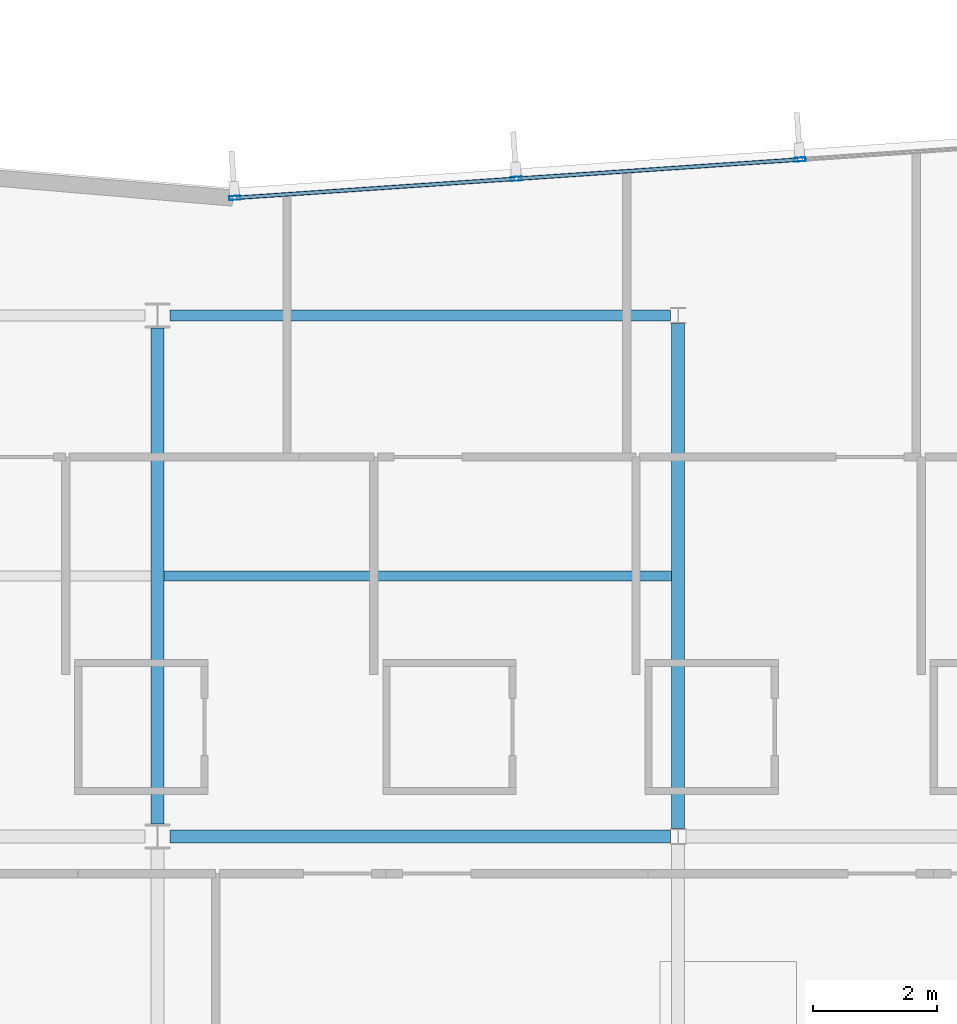
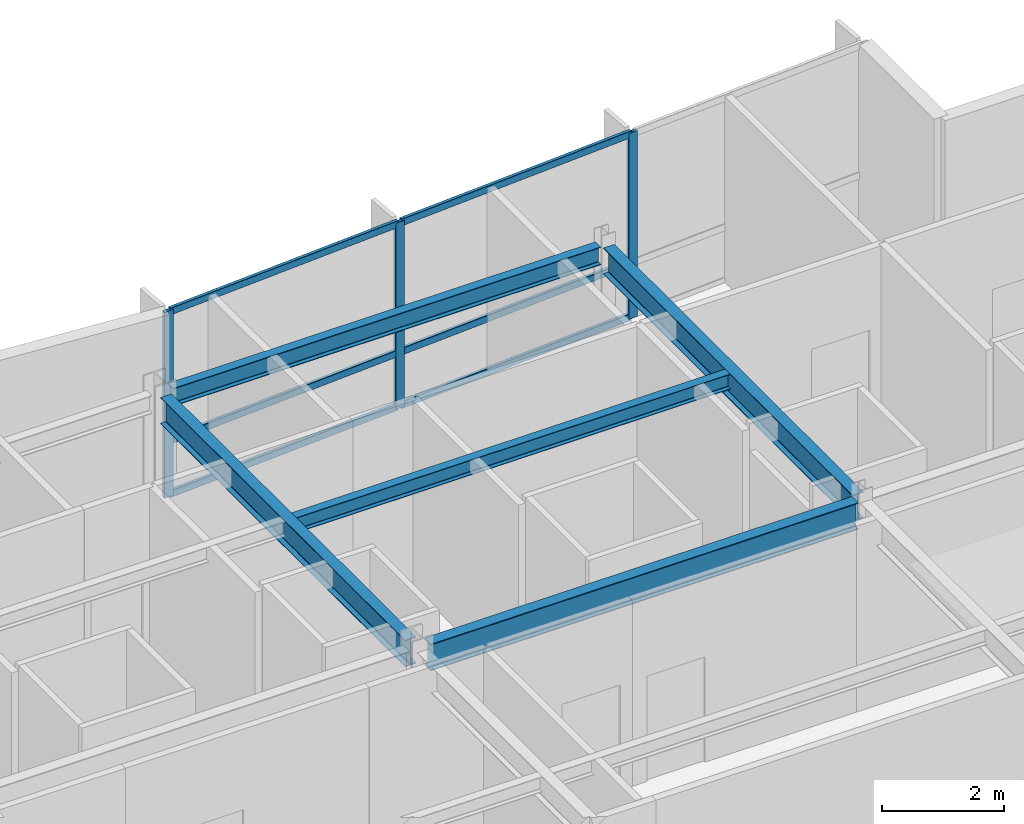
# One storey, part 6 of 16: 9 members, 5 beams, 1 element without a shape of its own.
"""IFC4 building model written with IfcOpenShell, lengths in metres."""

from ifc_helpers import new_model, si_unit, direction, frame, origin, origin_2d, place, context, subcontext, project, spatial, hollow_rectangle, i_section, extrude, material, layer, layer_set, material_profile, profile_set, type_object, element, aggregate, save


model = new_model("IFC4")

# Units and contexts
model_context = context("Model", 3, precision=1e-05, world=origin(), true_north=direction((0.0, 1.0)))
body_context = subcontext(model_context, "Body", "Model", "MODEL_VIEW")
ifc_project = project(units=[si_unit("LENGTHUNIT", "METRE"), si_unit("AREAUNIT", "SQUARE_METRE"), si_unit("VOLUMEUNIT", "CUBIC_METRE"), si_unit("PLANEANGLEUNIT", "RADIAN"), si_unit("MASSUNIT", "GRAM", prefix="KILO")], contexts=[model_context])

# Site, building, storey
site_placement = place(None, origin())
site = spatial("IfcSite", under=ifc_project, at=site_placement, CompositionType="ELEMENT")
building_placement = place(site_placement, origin())
building = spatial("IfcBuilding", under=site, at=building_placement, Name="Varnakote Quay Hospital", CompositionType="ELEMENT")
storey_placement = place(building_placement, frame((0.0, 0.0, 223.699951171875)))
storey = spatial("IfcBuildingStorey", under=building, at=storey_placement, Name="L55", CompositionType="ELEMENT", Elevation=223.699951171875)

# Beams
ifc_material_1 = material(Name="Structural steel AS/NZS 3679.1 Grade 350 L0 (fy 340 MPa)", Category="steel")
ifc_material_profile_1 = material_profile(ifc_material_1, i_section(OverallWidth=0.208984375, OverallDepth=0.528076171875, WebThickness=0.009521484375, FlangeThickness=0.01318359375, FilletRadius=0.013916015625, at=origin_2d()), Name="530UB82.0")
ifc_profile_set_1 = profile_set([ifc_material_profile_1], Name="Structural steel AS/NZS 3679.1 Grade 350 L0 (fy 340 MPa)")
beam_type_1 = type_object("IfcBeamType", Name="BM-STL-530UB82-0", PredefinedType="BEAM", material=ifc_profile_set_1)
beam_1_placement = place(storey_placement, frame((33.60009765625, 20.60205078125, 3.446044921875), z_axis=(0.0, 1.0, 0.0), x_axis=(-1.0, 0.0, 0.0)))
element("IfcBeam", 1, at=beam_1_placement, inside=storey, type_object=beam_type_1, Name="L55 Primary Tie Beam", PredefinedType="BEAM", context=body_context, shape_type="SweptSolid", body=[
    extrude(i_section(OverallWidth=0.208984375, OverallDepth=0.528076171875, WebThickness=0.009521484375, FlangeThickness=0.01318359375, FilletRadius=0.013916015625, at=origin_2d()), origin(), (0.0, 0.0, 1.0), 7.995849609375),
])
beam_2_placement = place(storey_placement, frame((42.0, 20.530029296875, 3.446044921875), z_axis=(0.0, 1.0, 0.0), x_axis=(-1.0, 0.0, 0.0)))
element("IfcBeam", 2, at=beam_2_placement, inside=storey, type_object=beam_type_1, Name="L55 Primary Tie Beam", PredefinedType="BEAM", context=body_context, shape_type="SweptSolid", body=[
    extrude(i_section(OverallWidth=0.208984375, OverallDepth=0.528076171875, WebThickness=0.009521484375, FlangeThickness=0.01318359375, FilletRadius=0.013916015625, at=origin_2d()), origin(), (0.0, 0.0, 1.0), 8.139892578125),
])
ifc_material_2 = material(Name="Structural steel AS/NZS 3679.1 Grade 350 L0 (fy 340 MPa)", Category="steel")
ifc_material_profile_2 = material_profile(ifc_material_2, i_section(OverallWidth=0.208984375, OverallDepth=0.532958984375, WebThickness=0.01025390625, FlangeThickness=0.015625, FilletRadius=0.013916015625, at=origin_2d()), Name="530UB92.4")
ifc_profile_set_2 = profile_set([ifc_material_profile_2], Name="Structural steel AS/NZS 3679.1 Grade 350 L0 (fy 340 MPa)")
beam_type_2 = type_object("IfcBeamType", Name="BM-STL-530UB92-4", PredefinedType="BEAM", material=ifc_profile_set_2)
beam_3_placement = place(storey_placement, frame((33.800048828125, 20.39990234375, 3.443603515625), z_axis=(1.0, 0.0, 0.0), x_axis=(0.0, 1.0, 0.0)))
element("IfcBeam", 3, at=beam_3_placement, inside=storey, type_object=beam_type_2, Name="L55 Primary Floor Beam", PredefinedType="BEAM", context=body_context, shape_type="SweptSolid", body=[
    extrude(i_section(OverallWidth=0.208984375, OverallDepth=0.532958984375, WebThickness=0.01025390625, FlangeThickness=0.015625, FilletRadius=0.013916015625, at=origin_2d()), origin(), (0.0, 0.0, 1.0), 8.072021484375),
])

# Curtain wall, members
ifc_material_3 = material(Name="Anodised aluminium 6063-T6 Bronze", Category="aluminium")
ifc_layer = layer(ifc_material_3, 0.219970703125)
ifc_layer_set = layer_set([ifc_layer], Name="Anodised aluminium 6063-T6 Bronze")
curtain_wall_type = type_object("IfcCurtainWallType", Name="CW-SYS-4", PredefinedType="NOTDEFINED", material=ifc_layer_set)
curtain_wall_placement = place(storey_placement, origin())
curtain_wall = element("IfcCurtainWall", 4, at=curtain_wall_placement, inside=storey, type_object=curtain_wall_type, Name="L55 Unitised Bronze Curtain Wall 2", PredefinedType="NOTDEFINED")
ifc_material_4 = material(Name="Anodised aluminium 6063-T6 Bronze", Category="aluminium")
ifc_material_profile_3 = material_profile(ifc_material_4, hollow_rectangle(XDim=0.06494140625, YDim=0.179931640625, WallThickness=0.00390625, InnerFilletRadius=0.00390625, OuterFilletRadius=0.008056640625, at=origin_2d()), Name="CW-MULL-180x65")
ifc_profile_set_3 = profile_set([ifc_material_profile_3], Name="Anodised aluminium 6063-T6 Bronze")
member_type_1 = type_object("IfcMemberType", Name="CW-MULL-180x65", PredefinedType="MULLION", material=ifc_profile_set_3)
member_1_placement = place(storey_placement, frame((43.96484375, 31.317626953125, 0.0), z_axis=(0.0, 0.0, 1.0), x_axis=(0.067841851077, -0.997696087615, 0.0)))
member_1 = element("IfcMember", 5, at=member_1_placement, type_object=member_type_1, Name="-4-L55-2 mullion 2", PredefinedType="MULLION", context=body_context, shape_type="SweptSolid", body=[
    extrude(hollow_rectangle(XDim=0.06494140625, YDim=0.179931640625, WallThickness=0.00390625, InnerFilletRadius=0.00390625, OuterFilletRadius=0.008056640625, at=origin_2d()), origin(), (0.0, 0.0, 1.0), 3.7099609375),
])
member_2_placement = place(storey_placement, frame((39.389892578125, 31.006591796875, 0.0), z_axis=(0.0, 0.0, 1.0), x_axis=(0.067841851077, -0.997696087615, 0.0)))
member_2 = element("IfcMember", 6, at=member_2_placement, type_object=member_type_1, Name="-4-L55-2 mullion 3", PredefinedType="MULLION", context=body_context, shape_type="SweptSolid", body=[
    extrude(hollow_rectangle(XDim=0.06494140625, YDim=0.179931640625, WallThickness=0.00390625, InnerFilletRadius=0.00390625, OuterFilletRadius=0.008056640625, at=origin_2d()), origin(), (0.0, 0.0, 1.0), 3.7099609375),
])
member_3_placement = place(storey_placement, frame((34.84716796875, 30.69775390625, 0.0), z_axis=(0.0, 0.0, 1.0), x_axis=(0.067841851077, -0.997696087615, 0.0)))
member_3 = element("IfcMember", 7, at=member_3_placement, type_object=member_type_1, Name="-4-L55-2 mullion 4", PredefinedType="MULLION", context=body_context, shape_type="SweptSolid", body=[
    extrude(hollow_rectangle(XDim=0.06494140625, YDim=0.179931640625, WallThickness=0.00390625, InnerFilletRadius=0.00390625, OuterFilletRadius=0.008056640625, at=origin_2d()), origin(), (0.0, 0.0, 1.0), 3.7099609375),
])
ifc_material_5 = material(Name="Anodised aluminium 6063-T6 Bronze", Category="aluminium")
ifc_material_profile_4 = material_profile(ifc_material_5, hollow_rectangle(XDim=0.06494140625, YDim=0.139892578125, WallThickness=0.00390625, InnerFilletRadius=0.00390625, OuterFilletRadius=0.007568359375, at=origin_2d()), Name="CW-TRAN-140x65")
ifc_profile_set_4 = profile_set([ifc_material_profile_4], Name="Anodised aluminium 6063-T6 Bronze")
member_type_2 = type_object("IfcMemberType", Name="CW-TRAN-140x65", PredefinedType="USERDEFINED", material=ifc_profile_set_4)
member_4_placement = place(storey_placement, frame((43.932373046875, 31.3154296875, 0.032470703125), z_axis=(-0.997696835235, -0.06783085553, 0.0), x_axis=(0.06783085553, -0.997696835235, 0.0)))
member_4 = element("IfcMember", 8, at=member_4_placement, type_object=member_type_2, Name="-4-L55-2 transom 2.1", ObjectType="TRANSOM", PredefinedType="USERDEFINED", context=body_context, shape_type="SweptSolid", body=[
    extrude(hollow_rectangle(XDim=0.06494140625, YDim=0.139892578125, WallThickness=0.00390625, InnerFilletRadius=0.00390625, OuterFilletRadius=0.007568359375, at=origin_2d()), origin(), (0.0, 0.0, 1.0), 4.520751953125),
])
member_5_placement = place(storey_placement, frame((43.932373046875, 31.3154296875, 1.10009765625), z_axis=(-0.997696835235, -0.06783085553, 0.0), x_axis=(0.06783085553, -0.997696835235, 0.0)))
member_5 = element("IfcMember", 9, at=member_5_placement, type_object=member_type_2, Name="-4-L55-2 transom 2.2", ObjectType="TRANSOM", PredefinedType="USERDEFINED", context=body_context, shape_type="SweptSolid", body=[
    extrude(hollow_rectangle(XDim=0.06494140625, YDim=0.139892578125, WallThickness=0.00390625, InnerFilletRadius=0.00390625, OuterFilletRadius=0.007568359375, at=origin_2d()), origin(), (0.0, 0.0, 1.0), 4.520751953125),
])
member_6_placement = place(storey_placement, frame((43.932373046875, 31.3154296875, 3.677490234375), z_axis=(-0.997696835235, -0.06783085553, 0.0), x_axis=(0.06783085553, -0.997696835235, 0.0)))
member_6 = element("IfcMember", 10, at=member_6_placement, type_object=member_type_2, Name="-4-L55-2 transom 2.3", ObjectType="TRANSOM", PredefinedType="USERDEFINED", context=body_context, shape_type="SweptSolid", body=[
    extrude(hollow_rectangle(XDim=0.06494140625, YDim=0.139892578125, WallThickness=0.00390625, InnerFilletRadius=0.00390625, OuterFilletRadius=0.007568359375, at=origin_2d()), origin(), (0.0, 0.0, 1.0), 4.520751953125),
])
member_7_placement = place(storey_placement, frame((39.357421875, 31.00439453125, 0.032470703125), z_axis=(-0.997696679404, -0.06783314755, 0.0), x_axis=(0.06783314755, -0.997696679404, 0.0)))
member_7 = element("IfcMember", 11, at=member_7_placement, type_object=member_type_2, Name="-4-L55-2 transom 3.1", ObjectType="TRANSOM", PredefinedType="USERDEFINED", context=body_context, shape_type="SweptSolid", body=[
    extrude(hollow_rectangle(XDim=0.06494140625, YDim=0.139892578125, WallThickness=0.00390625, InnerFilletRadius=0.00390625, OuterFilletRadius=0.007568359375, at=origin_2d()), origin(), (0.0, 0.0, 1.0), 4.488037109375),
])
member_8_placement = place(storey_placement, frame((39.357421875, 31.00439453125, 1.10009765625), z_axis=(-0.997696679404, -0.06783314755, 0.0), x_axis=(0.06783314755, -0.997696679404, 0.0)))
member_8 = element("IfcMember", 12, at=member_8_placement, type_object=member_type_2, Name="-4-L55-2 transom 3.2", ObjectType="TRANSOM", PredefinedType="USERDEFINED", context=body_context, shape_type="SweptSolid", body=[
    extrude(hollow_rectangle(XDim=0.06494140625, YDim=0.139892578125, WallThickness=0.00390625, InnerFilletRadius=0.00390625, OuterFilletRadius=0.007568359375, at=origin_2d()), origin(), (0.0, 0.0, 1.0), 4.488037109375),
])
member_9_placement = place(storey_placement, frame((39.357421875, 31.00439453125, 3.677490234375), z_axis=(-0.997696679404, -0.06783314755, 0.0), x_axis=(0.06783314755, -0.997696679404, 0.0)))
member_9 = element("IfcMember", 13, at=member_9_placement, type_object=member_type_2, Name="-4-L55-2 transom 3.3", ObjectType="TRANSOM", PredefinedType="USERDEFINED", context=body_context, shape_type="SweptSolid", body=[
    extrude(hollow_rectangle(XDim=0.06494140625, YDim=0.139892578125, WallThickness=0.00390625, InnerFilletRadius=0.00390625, OuterFilletRadius=0.007568359375, at=origin_2d()), origin(), (0.0, 0.0, 1.0), 4.488037109375),
])
aggregate(curtain_wall, [member_1, member_2, member_3, member_4, member_5, member_6, member_7, member_8, member_9])

# Beams
ifc_material_6 = material(Name="Structural steel AS/NZS 3679.1 Grade 350 L0 (fy 340 MPa)", Category="steel")
ifc_material_profile_5 = material_profile(ifc_material_6, i_section(OverallWidth=0.1650390625, OverallDepth=0.303955078125, WebThickness=0.006103515625, FlangeThickness=0.01025390625, FilletRadius=0.011474609375, at=origin_2d()), Name="310UB40.4")
ifc_profile_set_5 = profile_set([ifc_material_profile_5], Name="Structural steel AS/NZS 3679.1 Grade 350 L0 (fy 340 MPa)")
beam_type_3 = type_object("IfcBeamType", Name="JST-STL-310UB40-4", PredefinedType="JOIST", material=ifc_profile_set_5)
beam_4_placement = place(storey_placement, frame((33.70458984375, 24.60009765625, 3.55810546875), z_axis=(1.0, 0.0, 0.0), x_axis=(0.0, 1.0, 0.0)))
element("IfcBeam", 14, at=beam_4_placement, inside=storey, type_object=beam_type_3, Name="L55 Composite Floor Joist", PredefinedType="JOIST", context=body_context, shape_type="SweptSolid", body=[
    extrude(i_section(OverallWidth=0.1650390625, OverallDepth=0.303955078125, WebThickness=0.006103515625, FlangeThickness=0.01025390625, FilletRadius=0.011474609375, at=origin_2d()), origin(), (0.0, 0.0, 1.0), 8.19091796875),
])
ifc_material_7 = material(Name="Structural steel AS/NZS 3679.1 Grade 350 L0 (fy 340 MPa)", Category="steel")
ifc_material_profile_6 = material_profile(ifc_material_7, i_section(OverallWidth=0.172119140625, OverallDepth=0.35888671875, WebThickness=0.008056640625, FlangeThickness=0.012939453125, FilletRadius=0.011474609375, at=origin_2d()), Name="360UB56.7")
ifc_profile_set_6 = profile_set([ifc_material_profile_6], Name="Structural steel AS/NZS 3679.1 Grade 350 L0 (fy 340 MPa)")
beam_type_4 = type_object("IfcBeamType", Name="SPN-STL-360UB56-7", PredefinedType="SPANDREL", material=ifc_profile_set_6)
beam_5_placement = place(storey_placement, frame((33.800048828125, 28.800048828125, 3.530517578125), z_axis=(1.0, 0.0, 0.0), x_axis=(0.0, 1.0, 0.0)))
element("IfcBeam", 15, at=beam_5_placement, inside=storey, type_object=beam_type_4, Name="L55 Perimeter Spandrel Beam", PredefinedType="SPANDREL", context=body_context, shape_type="SweptSolid", body=[
    extrude(i_section(OverallWidth=0.172119140625, OverallDepth=0.35888671875, WebThickness=0.008056640625, FlangeThickness=0.012939453125, FilletRadius=0.011474609375, at=origin_2d()), origin(), (0.0, 0.0, 1.0), 8.072021484375),
])

save(model, "model.ifc")
